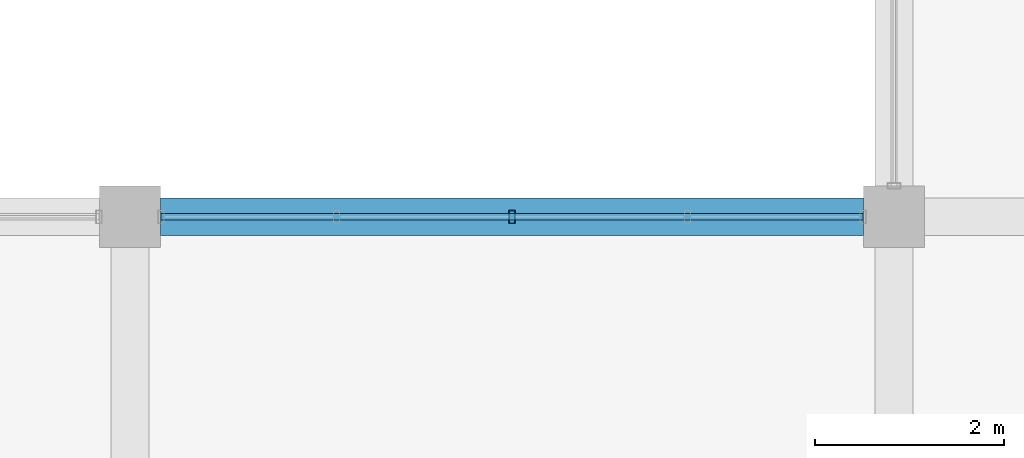
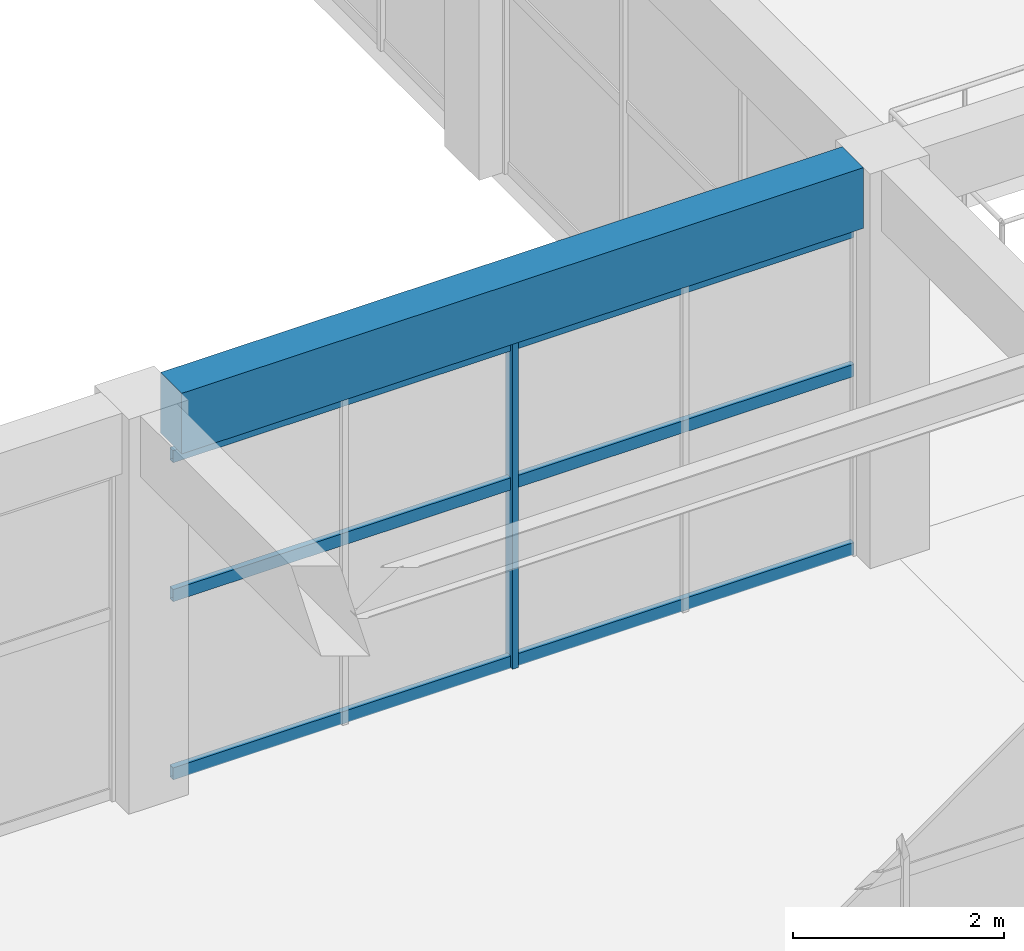
# One storey, part 117 of 161: 4 members, 1 beam, 1 element without a shape of its own.
"""IFC4 building model written with IfcOpenShell, lengths in metres."""

import ifcopenshell
import ifcopenshell.guid

model = None  # the IFC model being written
_history = None  # IfcOwnerHistory: only IFC2X3 demands one
_inside = {}  # id of a spatial element -> (the spatial element, [elements in it])
_under = {}  # id of a project, library or spatial element -> (it, [spatial elements below it])
_declared = {}  # id of a project -> (the project, [libraries it declares])
_typed = {}  # id of a type object -> (the type object, [elements of that type])
_made_of = {}  # id of a material, layer set ... -> (it, [elements and type objects made of it])


def new_model(schema):
    """Start an empty IFC model of exactly this schema.

    Asked for "IFC4X3", IfcOpenShell would pick the latest addendum, in which some entities
    have other attributes; the version numbers below select the first issue.
    IFC2X3 requires an IfcOwnerHistory on every rooted entity: one is made here for all.
    """
    global model, _history
    if schema == "IFC4X3":
        model = ifcopenshell.file(schema_version=(4, 3, 0, 0))
    else:
        model = ifcopenshell.file(schema=schema)
    _inside.clear()
    _under.clear()
    _declared.clear()
    _typed.clear()
    _made_of.clear()
    _history = None
    if model.schema == "IFC2X3":
        org = make("IfcOrganization", Name="unknown")
        user = make(
            "IfcPersonAndOrganization",
            ThePerson=make("IfcPerson", FamilyName="unknown"),
            TheOrganization=org,
        )
        app = make(
            "IfcApplication",
            ApplicationDeveloper=org,
            Version="unknown",
            ApplicationFullName="unknown",
            ApplicationIdentifier="unknown",
        )
        _history = make(
            "IfcOwnerHistory",
            OwningUser=user,
            OwningApplication=app,
            ChangeAction="ADDED",
            CreationDate=0,
        )
    return model


def make(cls, **values):
    """One entity of the class cls with the attributes given. An attribute that is None is left unset."""
    return model.create_entity(
        cls, **{name: value for name, value in values.items() if value is not None}
    )


def rooted(cls, **values):
    """An entity with a GlobalId (a new one), such as an element, a storey or a relation."""
    return make(cls, GlobalId=ifcopenshell.guid.new(), OwnerHistory=_history, **values)


def si_unit(unit_type, name, prefix=None):
    """IfcSIUnit, for example si_unit("LENGTHUNIT", "METRE", prefix="MILLI")."""
    return make("IfcSIUnit", UnitType=unit_type, Prefix=prefix, Name=name)


def assignment(units):
    """IfcUnitAssignment: the units of a project."""
    return None if units is None else make("IfcUnitAssignment", Units=units)


def point(xyz):
    """IfcCartesianPoint."""
    return None if xyz is None else make("IfcCartesianPoint", Coordinates=xyz)


def direction(xyz):
    """IfcDirection."""
    return None if xyz is None else make("IfcDirection", DirectionRatios=xyz)


def frame(location, z_axis=None, x_axis=None):
    """IfcAxis2Placement3D, a coordinate frame: its origin and axes. An axis left out is left unset."""
    return make(
        "IfcAxis2Placement3D",
        Location=point(location),
        Axis=direction(z_axis),
        RefDirection=direction(x_axis),
    )


def frame_2d(location, x_axis=None):
    """IfcAxis2Placement2D, a coordinate frame in the plane: its origin and x axis."""
    return make(
        "IfcAxis2Placement2D", Location=point(location), RefDirection=direction(x_axis)
    )


def origin():
    """The frame at (0, 0, 0) with its axes left unset."""
    return frame((0.0, 0.0, 0.0))


def origin_2d():
    """The frame at (0, 0) in the plane with its x axis left unset."""
    return frame_2d((0.0, 0.0))


def place(relative_to, where):
    """IfcLocalPlacement: puts the frame where relative to a parent placement (None: the world)."""
    return make(
        "IfcLocalPlacement", PlacementRelTo=relative_to, RelativePlacement=where
    )


def context(
    kind, dimensions, precision=None, world=None, true_north=None, identifier=None
):
    """IfcGeometricRepresentationContext, for example the 3D "Model" context."""
    return make(
        "IfcGeometricRepresentationContext",
        ContextIdentifier=identifier,
        ContextType=kind,
        CoordinateSpaceDimension=dimensions,
        Precision=precision,
        WorldCoordinateSystem=world,
        TrueNorth=true_north,
    )


def subcontext(parent, identifier, kind, view, scale=None):
    """IfcGeometricRepresentationSubContext, for example "Body" below "Model"."""
    return make(
        "IfcGeometricRepresentationSubContext",
        ContextIdentifier=identifier,
        ContextType=kind,
        ParentContext=parent,
        TargetScale=scale,
        TargetView=view,
    )


def project(units=None, contexts=None):
    """IfcProject with its units and contexts."""
    return rooted(
        "IfcProject",
        Name="project",
        RepresentationContexts=contexts,
        UnitsInContext=assignment(units),
    )


def spatial(cls, under=None, at=None, **own):
    """A site, building, storey or space (cls), placed at a placement, below another one or the project."""
    s = rooted(cls, ObjectPlacement=at, **own)
    if under is not None:
        _under.setdefault(under.id(), (under, []))[1].append(s)
    return s


def profile(cls, at=None, kind="AREA", **sizes):
    """A parametric profile (cls). Its sizes go by their IFC names, for example OverallWidth=200.0."""
    return make(cls, ProfileType=kind, Position=at, **sizes)


def rectangle(**sizes):
    """IfcRectangleProfileDef."""
    return profile("IfcRectangleProfileDef", **sizes)


def hollow_rectangle(**sizes):
    """IfcRectangleHollowProfileDef."""
    return profile("IfcRectangleHollowProfileDef", **sizes)


def extrude(swept, where, along, depth):
    """IfcExtrudedAreaSolid: the profile swept, set in the frame where, extruded along a direction by depth."""
    return make(
        "IfcExtrudedAreaSolid",
        SweptArea=swept,
        Position=where,
        ExtrudedDirection=direction(along),
        Depth=depth,
    )


def shape(context_of_items, identifier, shape_type, items):
    """IfcShapeRepresentation: the items that make up one representation, for example the "Body"."""
    return make(
        "IfcShapeRepresentation",
        ContextOfItems=context_of_items,
        RepresentationIdentifier=identifier,
        RepresentationType=shape_type,
        Items=items,
    )


def material(Name=None, Category=None):
    """IfcMaterial."""
    return make("IfcMaterial", Name=Name, Category=Category)


def material_profile(
    of_material, cross_section, Name=None, Category=None, Priority=None
):
    """IfcMaterialProfile: a cross section and its material."""
    return make(
        "IfcMaterialProfile",
        Name=Name,
        Material=of_material,
        Profile=cross_section,
        Priority=Priority,
        Category=Category,
    )


def profile_set(profiles, Name=None, composite=None):
    """IfcMaterialProfileSet."""
    return make(
        "IfcMaterialProfileSet",
        Name=Name,
        MaterialProfiles=profiles,
        CompositeProfile=composite,
    )


def made_of(thing, what):
    """Note that an element or type object is made of a material, layer set ...; save() writes the relation."""
    if what is not None:
        _made_of.setdefault(what.id(), (what, []))[1].append(thing)
    return thing


def type_object(cls, material=None, **own):
    """A type object (cls), such as IfcWallType, which elements share."""
    return made_of(rooted(cls, **own), material)


def element(
    cls,
    number,
    at=None,
    inside=None,
    cuts=None,
    type_object=None,
    material=None,
    context=None,
    identifier="Body",
    shape_type=None,
    held_by="IfcProductDefinitionShape",
    body=None,
    shapes=None,
    **own,
):
    """One element of the class cls, such as IfcWall. Its Tag is "e" and its number.

    at: its placement. inside: the storey or other place that contains it. cuts: it is an
    opening in that element (IfcRelVoidsElement). A single representation is given by context,
    identifier, shape_type and body (its items); several are given by shapes. held_by: the class
    of the entity that holds the representations. save() writes the other relations.
    """
    e = rooted(cls, Tag="e%d" % number, ObjectPlacement=at, **own)
    if body is not None:
        shapes = [shape(context, identifier, shape_type, body)]
    if shapes is not None:
        e.Representation = make(held_by, Representations=shapes)
    if inside is not None:
        _inside.setdefault(inside.id(), (inside, []))[1].append(e)
    if cuts is not None:
        rooted(
            "IfcRelVoidsElement", RelatingBuildingElement=cuts, RelatedOpeningElement=e
        )
    if type_object is not None:
        _typed.setdefault(type_object.id(), (type_object, []))[1].append(e)
    return made_of(e, material)


def aggregate(whole, parts):
    """IfcRelAggregates: a whole, such as a stair, and the parts it consists of."""
    return rooted("IfcRelAggregates", RelatingObject=whole, RelatedObjects=parts)


def save(model, path):
    """Write the relations noted so far, then the file.

    IfcRelAggregates (storeys below a building ...), IfcRelContainedInSpatialStructure (elements
    in a storey), IfcRelDefinesByType, IfcRelAssociatesMaterial and IfcRelDeclares: one each for
    every whole, place, type object, material and project.
    """
    for whole, parts in _under.values():
        aggregate(whole, parts)
    for where, things in _inside.values():
        rooted(
            "IfcRelContainedInSpatialStructure",
            RelatedElements=things,
            RelatingStructure=where,
        )
    for kind, things in _typed.values():
        rooted("IfcRelDefinesByType", RelatedObjects=things, RelatingType=kind)
    for what, things in _made_of.values():
        rooted("IfcRelAssociatesMaterial", RelatedObjects=things, RelatingMaterial=what)
    for by, libraries in _declared.values():
        rooted("IfcRelDeclares", RelatingContext=by, RelatedDefinitions=libraries)
    model.write(path)


model = new_model("IFC4")

# Units and contexts
model_context = context("Model", 3, precision=1e-05, world=origin(), true_north=direction((0.0, 1.0)))
body_context = subcontext(model_context, "Body", "Model", "MODEL_VIEW")
ifc_project = project(units=[si_unit("LENGTHUNIT", "METRE"), si_unit("AREAUNIT", "SQUARE_METRE"), si_unit("VOLUMEUNIT", "CUBIC_METRE"), si_unit("PLANEANGLEUNIT", "RADIAN"), si_unit("MASSUNIT", "GRAM", prefix="KILO")], contexts=[model_context])

# Site, building, storey
site_placement = place(None, origin())
site = spatial("IfcSite", under=ifc_project, at=site_placement, CompositionType="ELEMENT")
building_placement = place(site_placement, origin())
building = spatial("IfcBuilding", under=site, at=building_placement, Name="Cimatlan Art Gallery", CompositionType="ELEMENT")
storey_placement = place(building_placement, frame((0.0, 0.0, 5.39990234375)))
storey = spatial("IfcBuildingStorey", under=building, at=storey_placement, Name="L01", CompositionType="ELEMENT", Elevation=5.39990234375)

# Beam
ifc_material_1 = material(Name="Concrete C40/50", Category="concrete")
ifc_material_profile_1 = material_profile(ifc_material_1, rectangle(XDim=0.39990234375, YDim=0.699951171875, at=origin_2d()), Name="RC400X700")
ifc_profile_set_1 = profile_set([ifc_material_profile_1], Name="Concrete C40/50")
beam_type = type_object("IfcBeamType", Name="BM-RC-400X700", PredefinedType="BEAM", material=ifc_profile_set_1)
beam_placement = place(storey_placement, frame((140.02490234375, 60.89990234375, 4.210205078125), z_axis=(1.0, 0.0, 0.0), x_axis=(0.0, 1.0, 0.0)))
element("IfcBeam", 1, at=beam_placement, inside=storey, type_object=beam_type, Name="BM-X-L01-17-08", PredefinedType="BEAM", context=body_context, shape_type="SweptSolid", body=[
    extrude(rectangle(XDim=0.39990234375, YDim=0.699951171875, at=origin_2d()), origin(), (0.0, 0.0, 1.0), 7.4501953125),
])

# Curtain wall, members
ifc_material_2 = material(Name="Anodised bronze unitised curtain wall")
curtain_wall_type = type_object("IfcCurtainWallType", Name="CW-V-07442X03785-B4", PredefinedType="NOTDEFINED", material=ifc_material_2)
curtain_wall_placement = place(storey_placement, origin())
curtain_wall = element("IfcCurtainWall", 2, at=curtain_wall_placement, inside=storey, type_object=curtain_wall_type, Name="CW-L01-17-07-N", PredefinedType="NOTDEFINED")
ifc_material_3 = material(Name="Anodised bronze aluminium 6063-T6", Category="aluminium")
ifc_material_profile_2 = material_profile(ifc_material_3, hollow_rectangle(XDim=0.06494140625, YDim=0.139892578125, WallThickness=0.00390625, at=origin_2d()), Name="ALU65X140X4")
ifc_profile_set_2 = profile_set([ifc_material_profile_2], Name="Anodised bronze aluminium 6063-T6")
member_type_1 = type_object("IfcMemberType", Name="CW-MUL-140", PredefinedType="MULLION", material=ifc_profile_set_2)
member_1_placement = place(storey_placement, frame((143.75, 60.89990234375, 0.0), z_axis=(0.0, 0.0, 1.0), x_axis=(1.0, 0.0, 0.0)))
member_1 = element("IfcMember", 3, at=member_1_placement, type_object=member_type_1, Name="CW-L01-17-07-N-M3", PredefinedType="MULLION", context=body_context, shape_type="SweptSolid", body=[
    extrude(hollow_rectangle(XDim=0.06494140625, YDim=0.139892578125, WallThickness=0.00390625, at=origin_2d()), origin(), (0.0, 0.0, 1.0), 3.78515625),
])
ifc_material_profile_3 = material_profile(ifc_material_3, hollow_rectangle(XDim=0.06494140625, YDim=0.139892578125, WallThickness=0.00390625, at=origin_2d()), Name="ALU65X140X4")
ifc_profile_set_3 = profile_set([ifc_material_profile_3], Name="Anodised bronze aluminium 6063-T6")
member_type_2 = type_object("IfcMemberType", Name="CW-TRN-140", PredefinedType="USERDEFINED", material=ifc_profile_set_3)
member_2_placement = place(storey_placement, frame((140.029052734375, 60.89990234375, 0.06005859375), z_axis=(1.0, 0.0, 0.0), x_axis=(0.0, 1.0, 0.0)))
member_2 = element("IfcMember", 4, at=member_2_placement, type_object=member_type_2, Name="CW-L01-17-07-N-T1", ObjectType="TRANSOM", PredefinedType="USERDEFINED", context=body_context, shape_type="SweptSolid", body=[
    extrude(hollow_rectangle(XDim=0.06494140625, YDim=0.139892578125, WallThickness=0.00390625, at=origin_2d()), origin(), (0.0, 0.0, 1.0), 7.44189453125),
])
member_3_placement = place(storey_placement, frame((140.029052734375, 60.89990234375, 2.11962890625), z_axis=(1.0, 0.0, 0.0), x_axis=(0.0, 1.0, 0.0)))
member_3 = element("IfcMember", 5, at=member_3_placement, type_object=member_type_2, Name="CW-L01-17-07-N-T2", ObjectType="TRANSOM", PredefinedType="USERDEFINED", context=body_context, shape_type="SweptSolid", body=[
    extrude(hollow_rectangle(XDim=0.06494140625, YDim=0.139892578125, WallThickness=0.00390625, at=origin_2d()), origin(), (0.0, 0.0, 1.0), 7.44189453125),
])
member_4_placement = place(storey_placement, frame((140.029052734375, 60.89990234375, 3.72509765625), z_axis=(1.0, 0.0, 0.0), x_axis=(0.0, 1.0, 0.0)))
member_4 = element("IfcMember", 6, at=member_4_placement, type_object=member_type_2, Name="CW-L01-17-07-N-T3", ObjectType="TRANSOM", PredefinedType="USERDEFINED", context=body_context, shape_type="SweptSolid", body=[
    extrude(hollow_rectangle(XDim=0.06494140625, YDim=0.139892578125, WallThickness=0.00390625, at=origin_2d()), origin(), (0.0, 0.0, 1.0), 7.44189453125),
])
aggregate(curtain_wall, [member_1, member_2, member_3, member_4])

save(model, "model.ifc")
